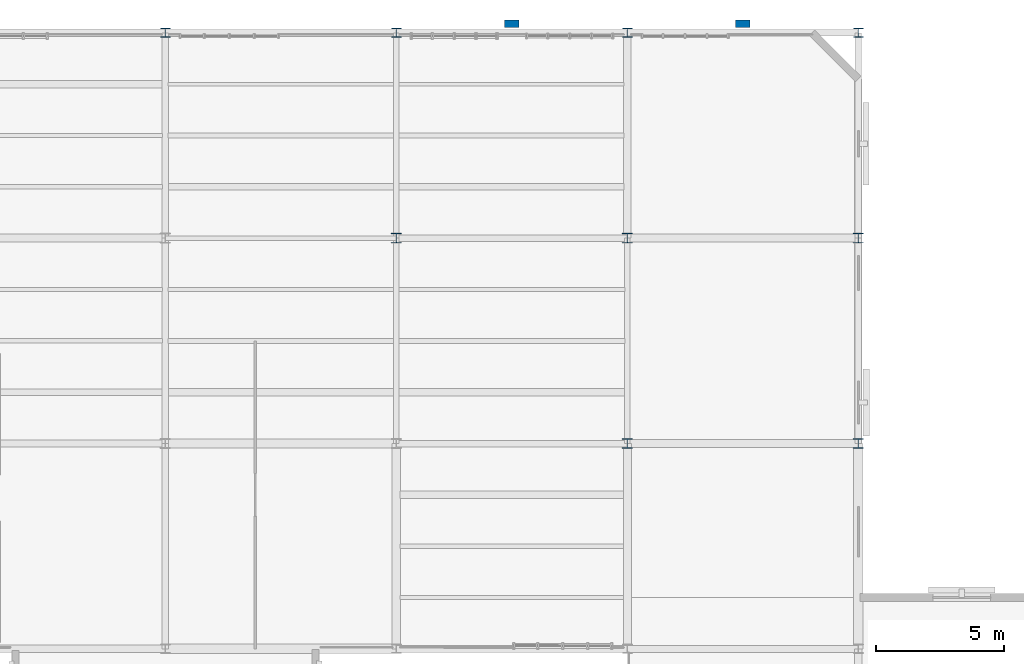
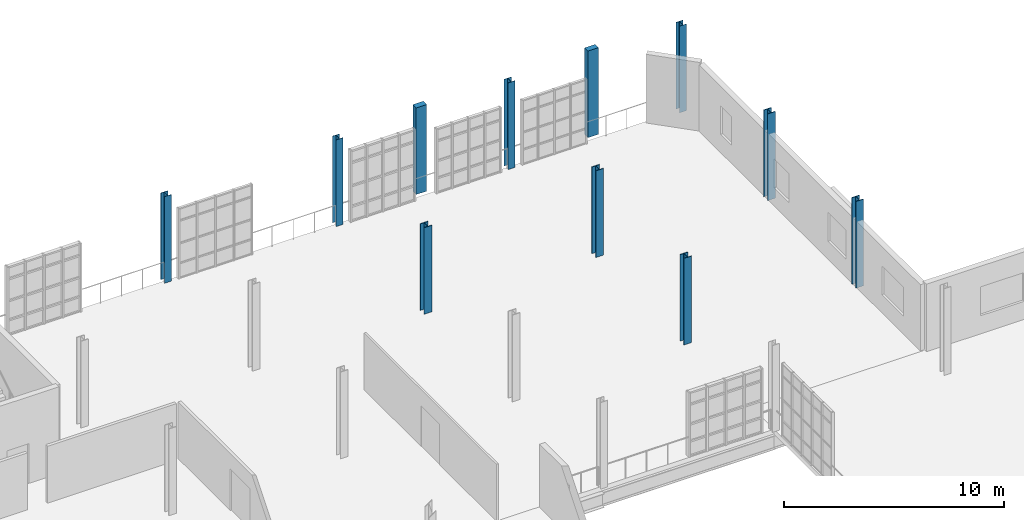
# One storey, part 11 of 122: 11 columns.
"""IFC4 building model written with IfcOpenShell, lengths in metres."""

from ifc_helpers import new_model, si_unit, direction, frame, origin, origin_2d, place, context, subcontext, project, spatial, rectangle, i_section, extrude, material, material_profile, profile_set, type_object, element, save


model = new_model("IFC4")

# Units and contexts
model_context = context("Model", 3, precision=1e-05, world=origin(), true_north=direction((0.0, 1.0)))
body_context = subcontext(model_context, "Body", "Model", "MODEL_VIEW")
ifc_project = project(units=[si_unit("LENGTHUNIT", "METRE"), si_unit("AREAUNIT", "SQUARE_METRE"), si_unit("VOLUMEUNIT", "CUBIC_METRE"), si_unit("PLANEANGLEUNIT", "RADIAN"), si_unit("MASSUNIT", "GRAM", prefix="KILO"), si_unit("THERMODYNAMICTEMPERATUREUNIT", "KELVIN"), si_unit("POWERUNIT", "WATT")], contexts=[model_context])

# Site, building, storey
site_placement = place(None, origin())
site = spatial("IfcSite", under=ifc_project, at=site_placement, CompositionType="ELEMENT")
building_placement = place(site_placement, origin())
building = spatial("IfcBuilding", under=site, at=building_placement, Name="Zelmaris Science Centre", CompositionType="ELEMENT")
storey_placement = place(building_placement, frame((0.0, 0.0, 10.800048828125)))
storey = spatial("IfcBuildingStorey", under=building, at=storey_placement, Name="L02", CompositionType="ELEMENT", Elevation=10.800048828125)

# Columns
ifc_material_1 = material(Name="Steel ASTM A992 Grade 50", Category="steel")
ifc_material_profile_1 = material_profile(ifc_material_1, i_section(OverallWidth=0.39892578125, OverallDepth=0.385986328125, WebThickness=0.02099609375, FlangeThickness=0.033203125, FilletRadius=0.014892578125, at=origin_2d()), Name="W14X176")
ifc_profile_set_1 = profile_set([ifc_material_profile_1], Name="Steel ASTM A992 Grade 50")
column_type_1 = type_object("IfcColumnType", Name="Column C-04 W14X176", PredefinedType="COLUMN", material=ifc_profile_set_1)
for number, where, z_axis, x_axis, name in (
    (1, (90.0, 80.0, 0.0), (0.0, 0.0, 1.0), (1.0, 0.0, 0.0), "Column V5-C-90-80 L02"),
    (2, (99.0, 72.0, 0.0), (0.0, 0.0, 1.0), (1.0, 0.0, 0.0), "Column V5-C-99-72 L02"),
    (3, (99.0, 80.0, 0.0), (0.0, 0.0, 1.0), (1.0, 0.0, 0.0), "Column V5-C-99-80 L02"),
    (4, (108.0, 72.0, 0.0), (0.0, 0.0, 1.0), (1.0, 0.0, 0.0), "Column V5-C-108-72 L02"),
    (5, (108.0, 80.0, 0.0), (0.0, 0.0, 1.0), (1.0, 0.0, 0.0), "Column V5-C-108-80 L02"),
):
    element("IfcColumn", number, at=place(storey_placement, frame(where, z_axis=z_axis, x_axis=x_axis)), inside=storey, type_object=column_type_1, Name=name, PredefinedType="COLUMN", context=body_context, shape_type="SweptSolid", body=[
        extrude(i_section(OverallWidth=0.39892578125, OverallDepth=0.385986328125, WebThickness=0.02099609375, FlangeThickness=0.033203125, FilletRadius=0.014892578125, at=origin_2d()), origin(), (0.0, 0.0, 1.0), 4.800048828125),
    ])
ifc_material_profile_2 = material_profile(ifc_material_1, i_section(OverallWidth=0.367919921875, OverallDepth=0.35595703125, WebThickness=0.01123046875, FlangeThickness=0.01806640625, FilletRadius=0.014892578125, at=origin_2d()), Name="W14X90")
ifc_profile_set_2 = profile_set([ifc_material_profile_2], Name="Steel ASTM A992 Grade 50")
column_type_2 = type_object("IfcColumnType", Name="Column C-07 W14X90", PredefinedType="COLUMN", material=ifc_profile_set_2)
for number, where, z_axis, x_axis, name in (
    (6, (81.0, 88.0, 0.0), (0.0, 0.0, 1.0), (1.0, 0.0, 0.0), "Column V5-C-81-88 L02"),
    (7, (90.0, 88.0, 0.0), (0.0, 0.0, 1.0), (1.0, 0.0, 0.0), "Column V5-C-90-88 L02"),
    (8, (99.0, 88.0, 0.0), (0.0, 0.0, 1.0), (1.0, 0.0, 0.0), "Column V5-C-99-88 L02"),
    (9, (108.0, 88.0, 0.0), (0.0, 0.0, 1.0), (1.0, 0.0, 0.0), "Column V5-C-108-88 L02"),
):
    element("IfcColumn", number, at=place(storey_placement, frame(where, z_axis=z_axis, x_axis=x_axis)), inside=storey, type_object=column_type_2, Name=name, PredefinedType="COLUMN", context=body_context, shape_type="SweptSolid", body=[
        extrude(i_section(OverallWidth=0.367919921875, OverallDepth=0.35595703125, WebThickness=0.01123046875, FlangeThickness=0.01806640625, FilletRadius=0.014892578125, at=origin_2d()), origin(), (0.0, 0.0, 1.0), 4.800048828125),
    ])
ifc_material_2 = material(Name="Yucatan limestone ashlar masonry", Category="masonry")
ifc_material_profile_3 = material_profile(ifc_material_2, rectangle(XDim=0.550048828125, YDim=0.300048828125, at=origin_2d()), Name="PIL-LIM-550X300")
ifc_profile_set_3 = profile_set([ifc_material_profile_3], Name="Yucatan limestone ashlar masonry")
column_type_3 = type_object("IfcColumnType", Name="Pilaster PL-03 PIL-LIM-550X300", PredefinedType="PILASTER", material=ifc_profile_set_3)
for number, where, z_axis, x_axis, name in (
    (10, (94.5, 88.35009765625, 0.0), (0.0, 0.0, 1.0), (1.0, 0.0, 0.0), "Limestone pilaster PIL-V5N-2 L02"),
    (11, (103.5, 88.35009765625, 0.0), (0.0, 0.0, 1.0), (1.0, 0.0, 0.0), "Limestone pilaster PIL-V5N-3 L02"),
):
    element("IfcColumn", number, at=place(storey_placement, frame(where, z_axis=z_axis, x_axis=x_axis)), inside=storey, type_object=column_type_3, Name=name, PredefinedType="PILASTER", context=body_context, shape_type="SweptSolid", body=[
        extrude(rectangle(XDim=0.550048828125, YDim=0.300048828125, at=origin_2d()), origin(), (0.0, 0.0, 1.0), 4.800048828125),
    ])

save(model, "model.ifc")
